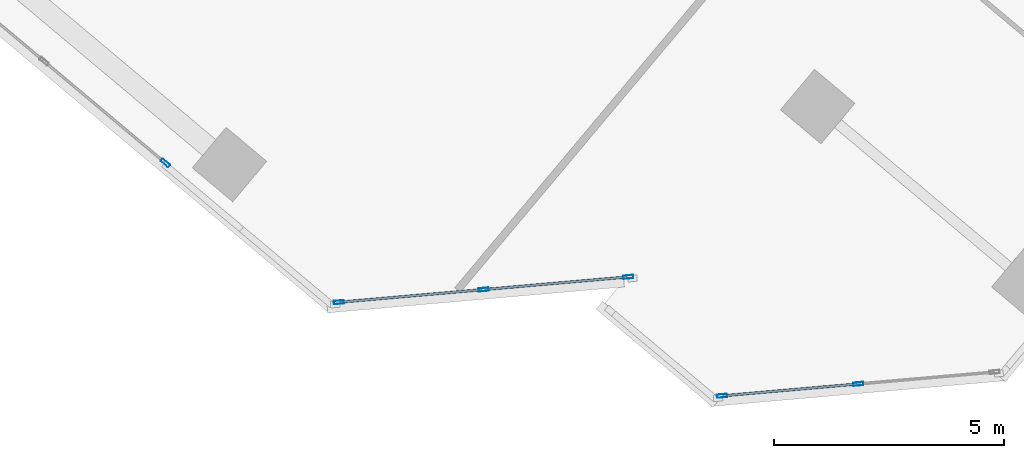
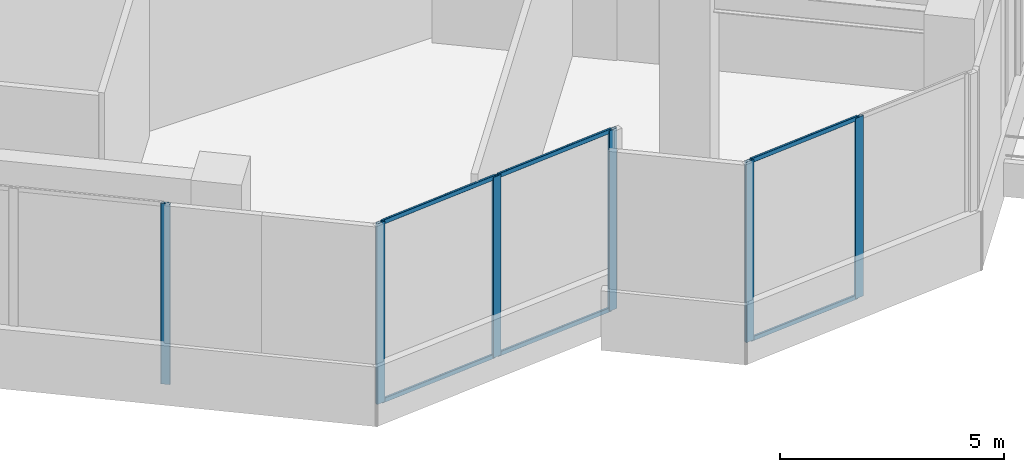
# One storey, part 3 of 17: 12 members, 3 elements without a shape of their own.
"""IFC4 building model written with IfcOpenShell, lengths in metres."""

from ifc_helpers import new_model, si_unit, direction, frame, origin, origin_2d, place, context, subcontext, project, spatial, hollow_rectangle, extrude, source, transform, mapped, material, material_profile, profile_set, type_object, element, aggregate, save


model = new_model("IFC4")

# Units and contexts
model_context = context("Model", 3, precision=1e-05, world=origin(), true_north=direction((0.0, 1.0)))
body_context = subcontext(model_context, "Body", "Model", "MODEL_VIEW")
ifc_project = project(units=[si_unit("LENGTHUNIT", "METRE"), si_unit("AREAUNIT", "SQUARE_METRE"), si_unit("VOLUMEUNIT", "CUBIC_METRE"), si_unit("PLANEANGLEUNIT", "RADIAN"), si_unit("MASSUNIT", "GRAM", prefix="KILO")], contexts=[model_context])

# Site, building, storey
site_placement = place(None, origin())
site = spatial("IfcSite", under=ifc_project, at=site_placement, CompositionType="ELEMENT")
building_placement = place(site_placement, origin())
building = spatial("IfcBuilding", under=site, at=building_placement, Name="Torre Montelarca", CompositionType="ELEMENT")
storey_placement = place(building_placement, frame((0.0, 0.0, 215.199951171875)))
storey = spatial("IfcBuildingStorey", under=building, at=storey_placement, Name="L48", CompositionType="ELEMENT", Elevation=215.199951171875)

# Curtain wall, member
ifc_material_1 = material(Name="Insulated low-E laminated glass", Category="glass")
curtain_wall_type = type_object("IfcCurtainWallType", Name="CW-SYS-Z3", PredefinedType="USERDEFINED", material=ifc_material_1)
curtain_wall_1_placement = place(storey_placement, origin())
curtain_wall_1 = element("IfcCurtainWall", 1, at=curtain_wall_1_placement, inside=storey, type_object=curtain_wall_type, Name="L48 Curtain Wall Run CW-T3-L48-E01-B2", ObjectType="UNITISED GLAZING", PredefinedType="USERDEFINED")
ifc_material_2 = material(Name="Anodised aluminium AA 6063-T6", Category="aluminium")
ifc_material_profile_1 = material_profile(ifc_material_2, hollow_rectangle(XDim=0.074951171875, YDim=0.219970703125, WallThickness=0.0048828125, InnerFilletRadius=0.0048828125, OuterFilletRadius=0.010009765625, at=origin_2d()), Name="ALU75X220X5", Category="aluminium")
ifc_profile_set_1 = profile_set([ifc_material_profile_1], Name="Anodised aluminium AA 6063-T6")
member_type_1 = type_object("IfcMemberType", Name="CWM-ALU220", PredefinedType="MULLION", material=ifc_profile_set_1)
shared_shape_1 = source(origin(), body_context, "Body", "SweptSolid", [
    extrude(hollow_rectangle(XDim=0.074951171875, YDim=0.219970703125, WallThickness=0.0048828125, InnerFilletRadius=0.0048828125, OuterFilletRadius=0.010009765625, at=origin_2d()), origin(), (0.0, 0.0, 1.0), 4.920166015625),
])
member_1_placement = place(storey_placement, frame((13.26123046875, 15.324462890625, 0.0), z_axis=(0.0, 0.0, 1.0), x_axis=(0.642786254716, 0.766045580072, 0.0)))
member_1 = element("IfcMember", 2, at=member_1_placement, type_object=member_type_1, Name="CW mullion 3", PredefinedType="MULLION", context=body_context, shape_type="MappedRepresentation", body=[
    mapped(shared_shape_1, transform((0.0, 0.0, 0.0), scale=1.0)),
])
aggregate(curtain_wall_1, [member_1])

# Curtain wall, members
curtain_wall_2_placement = place(storey_placement, origin())
curtain_wall_2 = element("IfcCurtainWall", 3, at=curtain_wall_2_placement, inside=storey, type_object=curtain_wall_type, Name="L48 Curtain Wall Run CW-T3-L48-E02-B1", ObjectType="UNITISED GLAZING", PredefinedType="USERDEFINED")
member_2_placement = place(storey_placement, frame((17.0400390625, 12.29150390625, 0.0), z_axis=(0.0, 0.0, 1.0), x_axis=(-0.087189240987, 0.996191766808, 0.0)))
member_2 = element("IfcMember", 4, at=member_2_placement, type_object=member_type_1, Name="CW mullion 1", PredefinedType="MULLION", context=body_context, shape_type="MappedRepresentation", body=[
    mapped(shared_shape_1, transform((0.0, 0.0, 0.0), scale=1.0)),
])
member_3_placement = place(storey_placement, frame((20.1904296875, 12.567138671875, 0.0), z_axis=(0.0, 0.0, 1.0), x_axis=(-0.087189240987, 0.996191766808, 0.0)))
member_3 = element("IfcMember", 5, at=member_3_placement, type_object=member_type_1, Name="CW mullion 2", PredefinedType="MULLION", context=body_context, shape_type="MappedRepresentation", body=[
    mapped(shared_shape_1, transform((0.0, 0.0, 0.0), scale=1.0)),
])
member_4_placement = place(storey_placement, frame((23.341064453125, 12.843017578125, 0.0), z_axis=(0.0, 0.0, 1.0), x_axis=(-0.087189240987, 0.996191766808, 0.0)))
member_4 = element("IfcMember", 6, at=member_4_placement, type_object=member_type_1, Name="CW mullion 3", PredefinedType="MULLION", context=body_context, shape_type="MappedRepresentation", body=[
    mapped(shared_shape_1, transform((0.0, 0.0, 0.0), scale=1.0)),
])

curtain_wall_3_placement = place(storey_placement, origin())
curtain_wall_3 = element("IfcCurtainWall", 7, at=curtain_wall_3_placement, inside=storey, type_object=curtain_wall_type, Name="L48 Curtain Wall Run CW-T3-L48-E05-B1", ObjectType="UNITISED GLAZING", PredefinedType="USERDEFINED")
member_5_placement = place(storey_placement, frame((25.38134765625, 10.2529296875, 0.0), z_axis=(0.0, 0.0, 1.0), x_axis=(-0.087181139731, 0.996192475817, 0.0)))
member_5 = element("IfcMember", 8, at=member_5_placement, type_object=member_type_1, Name="CW mullion 1", PredefinedType="MULLION", context=body_context, shape_type="MappedRepresentation", body=[
    mapped(shared_shape_1, transform((0.0, 0.0, 0.0), scale=1.0)),
])
member_6_placement = place(storey_placement, frame((28.3486328125, 10.5126953125, 0.0), z_axis=(0.0, 0.0, 1.0), x_axis=(-0.087181139731, 0.996192475817, 0.0)))
member_6 = element("IfcMember", 9, at=member_6_placement, type_object=member_type_1, Name="CW mullion 2", PredefinedType="MULLION", context=body_context, shape_type="MappedRepresentation", body=[
    mapped(shared_shape_1, transform((0.0, 0.0, 0.0), scale=1.0)),
])

# Member
ifc_material_profile_2 = material_profile(ifc_material_2, hollow_rectangle(XDim=0.054931640625, YDim=0.1201171875, WallThickness=0.00341796875, InnerFilletRadius=0.00341796875, OuterFilletRadius=0.007080078125, at=origin_2d()), Name="ALU55X120X3.5", Category="aluminium")
ifc_profile_set_2 = profile_set([ifc_material_profile_2], Name="Anodised aluminium AA 6063-T6")
member_type_2 = type_object("IfcMemberType", Name="CWT-ALU120", PredefinedType="USERDEFINED", material=ifc_profile_set_2)
shared_shape_2 = source(origin(), body_context, "Body", "SweptSolid", [
    extrude(hollow_rectangle(XDim=0.054931640625, YDim=0.1201171875, WallThickness=0.00341796875, InnerFilletRadius=0.00341796875, OuterFilletRadius=0.007080078125, at=origin_2d()), origin(), (0.0, 0.0, 1.0), 3.08740234375),
])
member_7_placement = place(storey_placement, frame((17.077392578125, 12.294677734375, 0.027587890625), z_axis=(0.996189081196, 0.087219920349, 0.0), x_axis=(-0.087219920349, 0.996189081196, 0.0)))
member_7 = element("IfcMember", 10, at=member_7_placement, type_object=member_type_2, Name="CW transom 1.1", ObjectType="TRANSOM", PredefinedType="USERDEFINED", context=body_context, shape_type="MappedRepresentation", body=[
    mapped(shared_shape_2, transform((0.0, 0.0, 0.0), scale=1.0)),
])

member_8_placement = place(storey_placement, frame((17.077392578125, 12.294677734375, 4.892578125), z_axis=(0.996189081196, 0.087219920349, 0.0), x_axis=(-0.087219920349, 0.996189081196, 0.0)))
member_8 = element("IfcMember", 11, at=member_8_placement, type_object=member_type_2, Name="CW transom 1.2", ObjectType="TRANSOM", PredefinedType="USERDEFINED", context=body_context, shape_type="MappedRepresentation", body=[
    mapped(shared_shape_2, transform((0.0, 0.0, 0.0), scale=1.0)),
])

shared_shape_3 = source(origin(), body_context, "Body", "SweptSolid", [
    extrude(hollow_rectangle(XDim=0.054931640625, YDim=0.1201171875, WallThickness=0.00341796875, InnerFilletRadius=0.00341796875, OuterFilletRadius=0.007080078125, at=origin_2d()), origin(), (0.0, 0.0, 1.0), 3.087158203125),
])
member_9_placement = place(storey_placement, frame((20.22802734375, 12.570556640625, 0.027587890625), z_axis=(0.996195348257, 0.087148311009, 0.0), x_axis=(-0.087148311009, 0.996195348257, 0.0)))
member_9 = element("IfcMember", 12, at=member_9_placement, type_object=member_type_2, Name="CW transom 2.1", ObjectType="TRANSOM", PredefinedType="USERDEFINED", context=body_context, shape_type="MappedRepresentation", body=[
    mapped(shared_shape_3, transform((0.0, 0.0, 0.0), scale=1.0)),
])

member_10_placement = place(storey_placement, frame((20.22802734375, 12.570556640625, 4.892578125), z_axis=(0.996195348257, 0.087148311009, 0.0), x_axis=(-0.087148311009, 0.996195348257, 0.0)))
member_10 = element("IfcMember", 13, at=member_10_placement, type_object=member_type_2, Name="CW transom 2.2", ObjectType="TRANSOM", PredefinedType="USERDEFINED", context=body_context, shape_type="MappedRepresentation", body=[
    mapped(shared_shape_3, transform((0.0, 0.0, 0.0), scale=1.0)),
])

aggregate(curtain_wall_2, [member_2, member_3, member_4, member_7, member_8, member_9, member_10])

shared_shape_4 = source(origin(), body_context, "Body", "SweptSolid", [
    extrude(hollow_rectangle(XDim=0.054931640625, YDim=0.1201171875, WallThickness=0.00341796875, InnerFilletRadius=0.00341796875, OuterFilletRadius=0.007080078125, at=origin_2d()), origin(), (0.0, 0.0, 1.0), 2.903564453125),
])
member_11_placement = place(storey_placement, frame((25.418701171875, 10.25634765625, 0.027587890625), z_axis=(0.996198826652, 0.08710854021, 0.0), x_axis=(-0.08710854021, 0.996198826652, 0.0)))
member_11 = element("IfcMember", 14, at=member_11_placement, type_object=member_type_2, Name="CW transom 1.1", ObjectType="TRANSOM", PredefinedType="USERDEFINED", context=body_context, shape_type="MappedRepresentation", body=[
    mapped(shared_shape_4, transform((0.0, 0.0, 0.0), scale=1.0)),
])

member_12_placement = place(storey_placement, frame((25.418701171875, 10.25634765625, 4.892578125), z_axis=(0.996198826652, 0.08710854021, 0.0), x_axis=(-0.08710854021, 0.996198826652, 0.0)))
member_12 = element("IfcMember", 15, at=member_12_placement, type_object=member_type_2, Name="CW transom 1.2", ObjectType="TRANSOM", PredefinedType="USERDEFINED", context=body_context, shape_type="MappedRepresentation", body=[
    mapped(shared_shape_4, transform((0.0, 0.0, 0.0), scale=1.0)),
])

aggregate(curtain_wall_3, [member_5, member_6, member_11, member_12])

save(model, "model.ifc")
